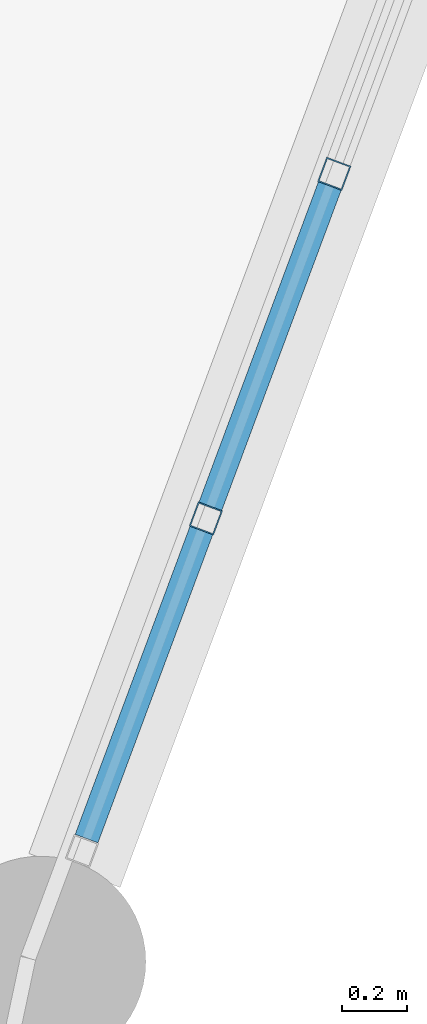
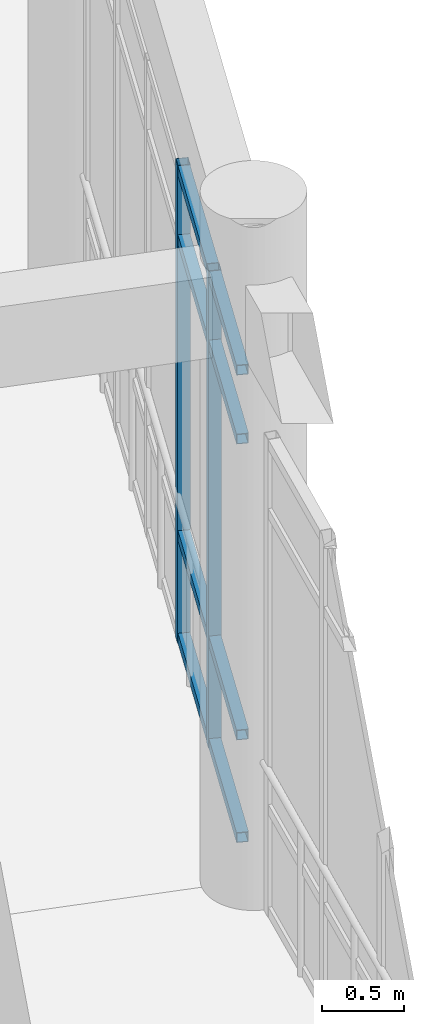
# One storey, part 59 of 159: 10 members, 1 element without a shape of its own.
"""IFC4 building model written with IfcOpenShell, lengths in metres."""

from ifc_helpers import new_model, si_unit, direction, frame, origin, origin_2d, place, context, subcontext, project, spatial, hollow_rectangle, extrude, material, material_profile, profile_set, type_object, element, aggregate, save


model = new_model("IFC4")

# Units and contexts
model_context = context("Model", 3, precision=1e-05, world=origin(), true_north=direction((0.0, 1.0)))
body_context = subcontext(model_context, "Body", "Model", "MODEL_VIEW")
ifc_project = project(units=[si_unit("LENGTHUNIT", "METRE"), si_unit("AREAUNIT", "SQUARE_METRE"), si_unit("VOLUMEUNIT", "CUBIC_METRE"), si_unit("PLANEANGLEUNIT", "RADIAN"), si_unit("MASSUNIT", "GRAM", prefix="KILO")], contexts=[model_context])

# Site, building, storey
site_placement = place(None, origin())
site = spatial("IfcSite", under=ifc_project, at=site_placement, CompositionType="ELEMENT")
building_placement = place(site_placement, origin())
building = spatial("IfcBuilding", under=site, at=building_placement, Name="Celadon Cloister-Ring School", CompositionType="ELEMENT")
storey_placement = place(building_placement, frame((0.0, 0.0, 4.5)))
storey = spatial("IfcBuildingStorey", under=building, at=storey_placement, Name="L01", CompositionType="ELEMENT", Elevation=4.5)

# Curtain wall, members
ifc_material_1 = material(Name="Aluminium EN AW-6063 T6", Category="aluminium")
curtain_wall_type = type_object("IfcCurtainWallType", Name="CW-01", PredefinedType="USERDEFINED", material=ifc_material_1)
curtain_wall_placement = place(storey_placement, origin())
curtain_wall = element("IfcCurtainWall", 1, at=curtain_wall_placement, inside=storey, type_object=curtain_wall_type, Name="Curtain Wall 0023", ObjectType="CURTAIN WALL", PredefinedType="USERDEFINED")
ifc_material_2 = material(Name="Aluminium EN AW-6063 T6", Category="aluminium")
ifc_material_profile_1 = material_profile(ifc_material_2, hollow_rectangle(XDim=0.080078125, YDim=0.080078125, WallThickness=0.00390625, at=origin_2d()), Name="RHS80X80X4")
ifc_profile_set_1 = profile_set([ifc_material_profile_1], Name="Aluminium EN AW-6063 T6")
member_type_1 = type_object("IfcMemberType", Name="CM-03", PredefinedType="MULLION", material=ifc_profile_set_1)
member_1_placement = place(storey_placement, frame((46.948974609375, 73.327880859375, 0.0), z_axis=(0.0, 0.0, 1.0), x_axis=(0.937023262671, -0.349266954081, 0.0)))
member_1 = element("IfcMember", 2, at=member_1_placement, type_object=member_type_1, Name="CW-01 mullion 4", PredefinedType="MULLION", context=body_context, shape_type="SweptSolid", body=[
    extrude(hollow_rectangle(XDim=0.080078125, YDim=0.080078125, WallThickness=0.00390625, at=origin_2d()), origin(), (0.0, 0.0, 1.0), 3.550048828125),
])
member_2_placement = place(storey_placement, frame((46.552978515625, 72.265380859375, 0.0), z_axis=(0.0, 0.0, 1.0), x_axis=(0.937023262671, -0.349266954081, 0.0)))
member_2 = element("IfcMember", 3, at=member_2_placement, type_object=member_type_1, Name="CW-01 mullion 5", PredefinedType="MULLION", context=body_context, shape_type="SweptSolid", body=[
    extrude(hollow_rectangle(XDim=0.080078125, YDim=0.080078125, WallThickness=0.00390625, at=origin_2d()), origin(), (0.0, 0.0, 1.0), 3.550048828125),
])
ifc_material_3 = material(Name="Aluminium EN AW-6063 T6", Category="aluminium")
ifc_material_profile_2 = material_profile(ifc_material_3, hollow_rectangle(XDim=0.074951171875, YDim=0.074951171875, WallThickness=0.00390625, at=origin_2d()), Name="RHS75X75X4")
ifc_profile_set_2 = profile_set([ifc_material_profile_2], Name="Aluminium EN AW-6063 T6")
member_type_2 = type_object("IfcMemberType", Name="CTM-03", PredefinedType="USERDEFINED", material=ifc_profile_set_2)
member_3_placement = place(storey_placement, frame((46.93505859375, 73.290283203125, 0.03759765625), z_axis=(-0.349396239885, -0.936975062397, 0.0), x_axis=(0.936975062397, -0.349396239885, 0.0)))
member_3 = element("IfcMember", 4, at=member_3_placement, type_object=member_type_2, Name="CW-01 transom 4.1", ObjectType="TRANSOM", PredefinedType="USERDEFINED", context=body_context, shape_type="SweptSolid", body=[
    extrude(hollow_rectangle(XDim=0.074951171875, YDim=0.074951171875, WallThickness=0.00390625, at=origin_2d()), origin(), (0.0, 0.0, 1.0), 1.0537109375),
])
member_4_placement = place(storey_placement, frame((46.93505859375, 73.290283203125, 0.800048828125), z_axis=(-0.349396239885, -0.936975062397, 0.0), x_axis=(0.936975062397, -0.349396239885, 0.0)))
member_4 = element("IfcMember", 5, at=member_4_placement, type_object=member_type_2, Name="CW-01 transom 4.2", ObjectType="TRANSOM", PredefinedType="USERDEFINED", context=body_context, shape_type="SweptSolid", body=[
    extrude(hollow_rectangle(XDim=0.074951171875, YDim=0.074951171875, WallThickness=0.00390625, at=origin_2d()), origin(), (0.0, 0.0, 1.0), 1.0537109375),
])
member_5_placement = place(storey_placement, frame((46.93505859375, 73.290283203125, 3.0), z_axis=(-0.349396239885, -0.936975062397, 0.0), x_axis=(0.936975062397, -0.349396239885, 0.0)))
member_5 = element("IfcMember", 6, at=member_5_placement, type_object=member_type_2, Name="CW-01 transom 4.3", ObjectType="TRANSOM", PredefinedType="USERDEFINED", context=body_context, shape_type="SweptSolid", body=[
    extrude(hollow_rectangle(XDim=0.074951171875, YDim=0.074951171875, WallThickness=0.00390625, at=origin_2d()), origin(), (0.0, 0.0, 1.0), 1.0537109375),
])
member_6_placement = place(storey_placement, frame((46.93505859375, 73.290283203125, 3.512451171875), z_axis=(-0.349396239885, -0.936975062397, 0.0), x_axis=(0.936975062397, -0.349396239885, 0.0)))
member_6 = element("IfcMember", 7, at=member_6_placement, type_object=member_type_2, Name="CW-01 transom 4.4", ObjectType="TRANSOM", PredefinedType="USERDEFINED", context=body_context, shape_type="SweptSolid", body=[
    extrude(hollow_rectangle(XDim=0.074951171875, YDim=0.074951171875, WallThickness=0.00390625, at=origin_2d()), origin(), (0.0, 0.0, 1.0), 1.0537109375),
])
member_7_placement = place(storey_placement, frame((46.5390625, 72.22802734375, 0.03759765625), z_axis=(-0.349196099135, -0.937049670161, 0.0), x_axis=(0.937049670161, -0.349196099135, 0.0)))
member_7 = element("IfcMember", 8, at=member_7_placement, type_object=member_type_2, Name="CW-01 transom 5.1", ObjectType="TRANSOM", PredefinedType="USERDEFINED", context=body_context, shape_type="SweptSolid", body=[
    extrude(hollow_rectangle(XDim=0.074951171875, YDim=0.074951171875, WallThickness=0.00390625, at=origin_2d()), origin(), (0.0, 0.0, 1.0), 1.013671875),
])
member_8_placement = place(storey_placement, frame((46.5390625, 72.22802734375, 0.800048828125), z_axis=(-0.349196099135, -0.937049670161, 0.0), x_axis=(0.937049670161, -0.349196099135, 0.0)))
member_8 = element("IfcMember", 9, at=member_8_placement, type_object=member_type_2, Name="CW-01 transom 5.2", ObjectType="TRANSOM", PredefinedType="USERDEFINED", context=body_context, shape_type="SweptSolid", body=[
    extrude(hollow_rectangle(XDim=0.074951171875, YDim=0.074951171875, WallThickness=0.00390625, at=origin_2d()), origin(), (0.0, 0.0, 1.0), 1.013671875),
])
member_9_placement = place(storey_placement, frame((46.5390625, 72.22802734375, 3.0), z_axis=(-0.349196099135, -0.937049670161, 0.0), x_axis=(0.937049670161, -0.349196099135, 0.0)))
member_9 = element("IfcMember", 10, at=member_9_placement, type_object=member_type_2, Name="CW-01 transom 5.3", ObjectType="TRANSOM", PredefinedType="USERDEFINED", context=body_context, shape_type="SweptSolid", body=[
    extrude(hollow_rectangle(XDim=0.074951171875, YDim=0.074951171875, WallThickness=0.00390625, at=origin_2d()), origin(), (0.0, 0.0, 1.0), 1.013671875),
])
member_10_placement = place(storey_placement, frame((46.5390625, 72.22802734375, 3.512451171875), z_axis=(-0.349196099135, -0.937049670161, 0.0), x_axis=(0.937049670161, -0.349196099135, 0.0)))
member_10 = element("IfcMember", 11, at=member_10_placement, type_object=member_type_2, Name="CW-01 transom 5.4", ObjectType="TRANSOM", PredefinedType="USERDEFINED", context=body_context, shape_type="SweptSolid", body=[
    extrude(hollow_rectangle(XDim=0.074951171875, YDim=0.074951171875, WallThickness=0.00390625, at=origin_2d()), origin(), (0.0, 0.0, 1.0), 1.013671875),
])
aggregate(curtain_wall, [member_1, member_2, member_3, member_4, member_5, member_6, member_7, member_8, member_9, member_10])

save(model, "model.ifc")
